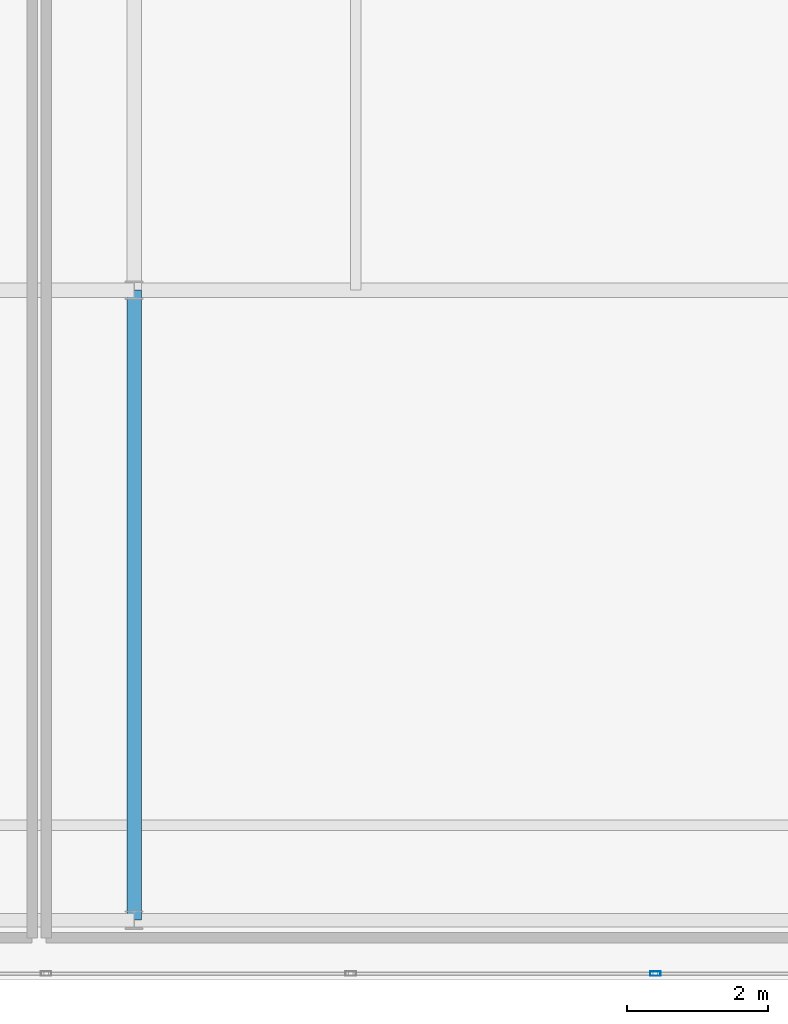
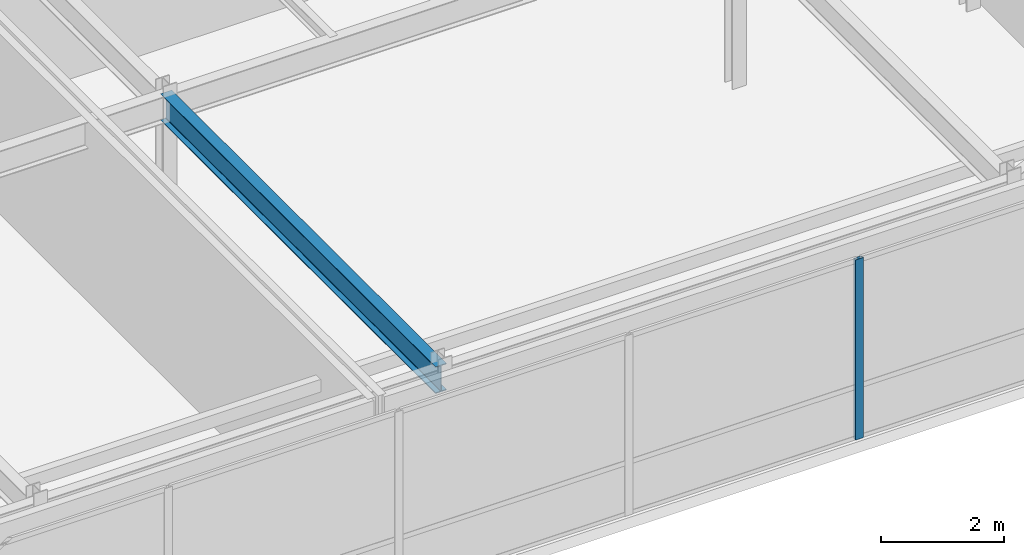
# One storey, part 13 of 36: 1 beam, 1 member, 1 element without a shape of its own.
"""IFC4 building model written with IfcOpenShell, lengths in metres."""

from ifc_helpers import new_model, si_unit, direction, frame, origin, origin_2d, place, context, subcontext, project, spatial, hollow_rectangle, i_section, extrude, source, transform, mapped, material, layer, layer_set, material_profile, profile_set, type_object, type_shapes, element, aggregate, save


model = new_model("IFC4")

# Units and contexts
model_context = context("Model", 3, precision=1e-05, world=origin(), true_north=direction((0.0, 1.0)))
body_context = subcontext(model_context, "Body", "Model", "MODEL_VIEW")
ifc_project = project(units=[si_unit("LENGTHUNIT", "METRE"), si_unit("AREAUNIT", "SQUARE_METRE"), si_unit("VOLUMEUNIT", "CUBIC_METRE"), si_unit("PLANEANGLEUNIT", "RADIAN"), si_unit("MASSUNIT", "GRAM", prefix="KILO")], contexts=[model_context])

# Site, building, storey
site_placement = place(None, origin())
site = spatial("IfcSite", under=ifc_project, at=site_placement, CompositionType="ELEMENT")
building_placement = place(site_placement, origin())
building = spatial("IfcBuilding", under=site, at=building_placement, Name="Tolvann Quenvar Hotel", CompositionType="ELEMENT")
storey_placement = place(building_placement, frame((0.0, 0.0, 294.75)))
storey = spatial("IfcBuildingStorey", under=building, at=storey_placement, Name="L78", CompositionType="ELEMENT", Elevation=294.75)

# Beam
ifc_material_1 = material(Name="Steel Grade 350", Category="steel")
ifc_material_profile_1 = material_profile(ifc_material_1, i_section(OverallWidth=0.208984375, OverallDepth=0.532958984375, WebThickness=0.01025390625, FlangeThickness=0.015625, FilletRadius=0.013916015625, at=origin_2d()), Name="530UB92")
ifc_profile_set_1 = profile_set([ifc_material_profile_1], Name="Steel Grade 350")
beam_type = type_object("IfcBeamType", Name="BM_GIRD_530UB92", PredefinedType="BEAM", material=ifc_profile_set_1)
shared_shape_1 = source(origin(), body_context, "Body", "SweptSolid", [
    extrude(i_section(OverallWidth=0.208984375, OverallDepth=0.532958984375, WebThickness=0.01025390625, FlangeThickness=0.015625, FilletRadius=0.013916015625, at=origin_2d()), origin(), (0.0, 0.0, 1.0), 8.949951171875),
])
type_shapes(beam_type, [shared_shape_1])
beam_placement = place(storey_placement, frame((22.050048828125, 7.050048828125, 3.3134765625), z_axis=(0.0, 1.0, 0.0), x_axis=(-1.0, 0.0, 0.0)))
element("IfcBeam", 1, at=beam_placement, inside=storey, type_object=beam_type, Name="BM-L78-NS-E2-E4", PredefinedType="BEAM", context=body_context, shape_type="MappedRepresentation", body=[
    mapped(shared_shape_1, transform((0.0, 0.0, 0.0), x_axis=(1.0, 0.0, 0.0), y_axis=(0.0, 1.0, 0.0), z_axis=(0.0, 0.0, 1.0), scale=1.0)),
])

# Curtain wall, member
ifc_material_2 = material(Name="Thermally broken anodised architectural aluminium 6063-T6 and laminated low-E glass", Category="aluminium")
ifc_layer = layer(ifc_material_2, 0.179931640625)
ifc_layer_set = layer_set([ifc_layer], Name="Thermally broken anodised architectural aluminium 6063-T6 and laminated low-E glass")
curtain_wall_type = type_object("IfcCurtainWallType", Name="CW_SYS_LANT_06", PredefinedType="USERDEFINED", material=ifc_layer_set)
curtain_wall_placement = place(storey_placement, origin())
curtain_wall = element("IfcCurtainWall", 2, at=curtain_wall_placement, inside=storey, type_object=curtain_wall_type, Name="Curtain Wall CW-LANT-06 (CWR-L78-E04)", ObjectType="UNITISED CURTAIN WALL", PredefinedType="USERDEFINED")
ifc_material_3 = material(Name="Anodised architectural aluminium 6063-T6 framing", Category="aluminium")
ifc_material_profile_2 = material_profile(ifc_material_3, hollow_rectangle(XDim=0.06494140625, YDim=0.14990234375, WallThickness=0.00390625, at=origin_2d()), Name="150x65x4RHS")
ifc_profile_set_2 = profile_set([ifc_material_profile_2], Name="Anodised architectural aluminium 6063-T6 framing")
member_type = type_object("IfcMemberType", Name="CW_MULL_150x65", PredefinedType="MULLION", material=ifc_profile_set_2)
shared_shape_2 = source(origin(), body_context, "Body", "SweptSolid", [
    extrude(hollow_rectangle(XDim=0.06494140625, YDim=0.14990234375, WallThickness=0.00390625, at=origin_2d()), origin(), (0.0, 0.0, 1.0), 3.580078125),
])
type_shapes(member_type, [shared_shape_2])
member_placement = place(storey_placement, frame((29.455078125, 6.2900390625, 0.0), z_axis=(0.0, 0.0, 1.0), x_axis=(0.0, 1.0, 0.0)))
member = element("IfcMember", 3, at=member_placement, type_object=member_type, Name="CW-LANT-06 mullion 6", PredefinedType="MULLION", context=body_context, shape_type="MappedRepresentation", body=[
    mapped(shared_shape_2, transform((0.0, 0.0, 0.0), x_axis=(1.0, 0.0, 0.0), y_axis=(0.0, 1.0, 0.0), z_axis=(0.0, 0.0, 1.0), scale=1.0)),
])
aggregate(curtain_wall, [member])

save(model, "model.ifc")
